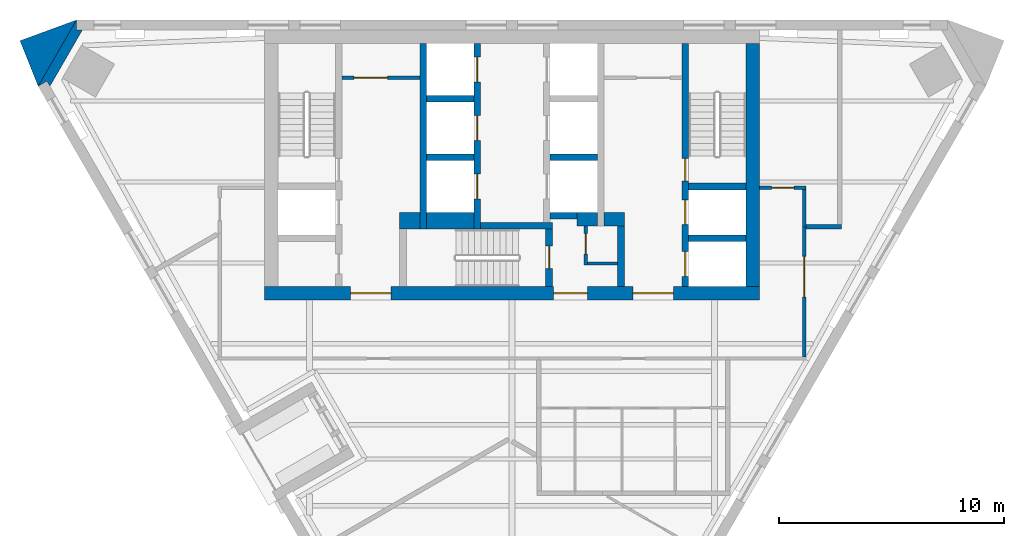
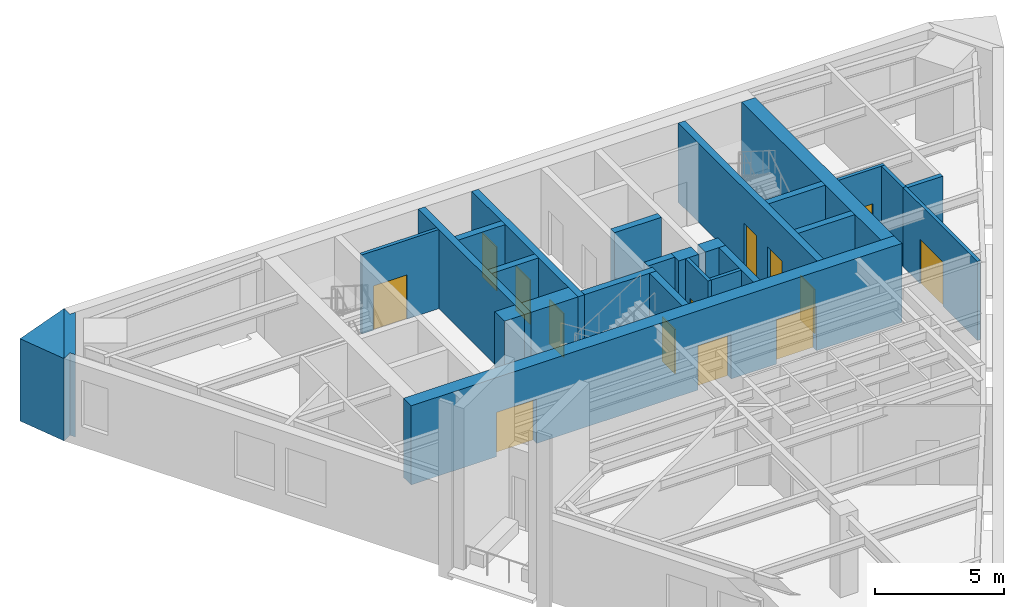
# One storey, part 4 of 6: 27 walls, 14 doors, 14 openings.
"""IFC4 building model written with IfcOpenShell, lengths in metres."""

from ifc_helpers import new_model, si_unit, direction, frame, frame_2d, origin, place, context, subcontext, project, spatial, polyline, rectangle, outline, extrude, material, layer, layer_set, type_object, element, fill, save


model = new_model("IFC4")

# Units and contexts
model_context = context("Model", 3, precision=1e-05, world=origin(), true_north=direction((0.0, 1.0)))
body_context = subcontext(model_context, "Body", "Model", "MODEL_VIEW")
ifc_project = project(units=[si_unit("LENGTHUNIT", "METRE"), si_unit("AREAUNIT", "SQUARE_METRE"), si_unit("VOLUMEUNIT", "CUBIC_METRE"), si_unit("PLANEANGLEUNIT", "RADIAN"), si_unit("MASSUNIT", "GRAM", prefix="KILO")], contexts=[model_context])

# Site, building, storey
site_placement = place(None, origin())
site = spatial("IfcSite", under=ifc_project, at=site_placement, CompositionType="ELEMENT")
building_placement = place(site_placement, origin())
building = spatial("IfcBuilding", under=site, at=building_placement, Name="Aloe Facet Convention Tower", CompositionType="ELEMENT")
storey_placement = place(building_placement, frame((0.0, 0.0, 199.699951171875)))
storey = spatial("IfcBuildingStorey", under=building, at=storey_placement, Name="L50", CompositionType="ELEMENT", Elevation=199.699951171875)

# Wall, opening, door
ifc_material_1 = material(Name="Concrete blockwork partition", Category="masonry")
ifc_layer_1 = layer(ifc_material_1, 0.14990234375)
ifc_layer_set_1 = layer_set([ifc_layer_1], Name="CR-W-PART150")
wall_type_1 = type_object("IfcWallType", Name="CR-W-PART150", PredefinedType="PARTITIONING", material=ifc_layer_set_1)
wall_1_placement = place(storey_placement, frame((72.449951171875, 132.425048828125, 0.0), z_axis=(0.0, 0.0, 1.0), x_axis=(1.0, 0.0, 0.0)))
wall_1 = element("IfcWall", 1, at=wall_1_placement, inside=storey, type_object=wall_type_1, Name="Core partition L50-007", PredefinedType="PARTITIONING", context=body_context, shape_type="SweptSolid", body=[
    extrude(rectangle(XDim=3.449951171875, YDim=0.14990234375, at=frame_2d((1.72509765625, 0.0))), origin(), (0.0, 0.0, 1.0), 3.75),
])
opening_1_placement = place(wall_1_placement, frame((0.52490234375, 0.0, 0.0)))
opening_1 = element("IfcOpeningElement", 2, at=opening_1_placement, cuts=wall_1, Name="Opening L50-CD14", PredefinedType="OPENING", context=body_context, shape_type="SweptSolid", body=[
    extrude(rectangle(XDim=1.5, YDim=2.10009765625, at=frame_2d((0.75, 1.050048828125))), frame((0.0, 0.0849609375, 0.0), z_axis=(0.0, -1.0, 0.0), x_axis=(1.0, 0.0, 0.0)), (0.0, 0.0, 1.0), 0.169921875),
])
ifc_material_2 = material(Name="Steel fire-resisting door set FD60", Category="steel")
door_type_1 = type_object("IfcDoorType", Name="CR-D-REFUGE-1500-FD60-DD", OperationType="DOUBLE_DOOR_DOUBLE_SWING", PredefinedType="DOOR", material=ifc_material_2)
door_1_placement = place(opening_1_placement, origin())
door_1 = element("IfcDoor", 3, at=door_1_placement, inside=storey, type_object=door_type_1, Name="Core door L50-CD14", OperationType="DOUBLE_DOOR_DOUBLE_SWING", OverallHeight=2.10009765625, OverallWidth=1.5, PredefinedType="DOOR", context=body_context, shape_type="SweptSolid", body=[
    extrude(rectangle(XDim=1.5, YDim=2.10009765625, at=frame_2d((0.75, 1.050048828125))), frame((0.0, 0.02490234375, 0.0), z_axis=(0.0, -1.0, 0.0), x_axis=(1.0, 0.0, 0.0)), (0.0, 0.0, 1.0), 0.050048828125),
])
fill(opening_1, door_1)

wall_2_placement = place(storey_placement, frame((83.27490234375, 125.85009765625, 0.0), z_axis=(0.0, 0.0, 1.0), x_axis=(0.0, -1.0, 0.0)))
wall_2 = element("IfcWall", 4, at=wall_2_placement, inside=storey, type_object=wall_type_1, Name="Core partition L50-022", PredefinedType="PARTITIONING", context=body_context, shape_type="SweptSolid", body=[
    extrude(rectangle(XDim=1.75, YDim=0.14990234375, at=frame_2d((0.875, 0.0))), origin(), (0.0, 0.0, 1.0), 3.75),
])
opening_2_placement = place(wall_2_placement, frame((0.35009765625, 0.0, 0.0)))
opening_2 = element("IfcOpeningElement", 5, at=opening_2_placement, cuts=wall_2, Name="Opening L50-CD12", PredefinedType="OPENING", context=body_context, shape_type="SweptSolid", body=[
    extrude(rectangle(XDim=0.89990234375, YDim=2.10009765625, at=frame_2d((0.449951171875, 1.050048828125))), frame((0.0, 0.0849609375, 0.0), z_axis=(0.0, -1.0, 0.0), x_axis=(1.0, 0.0, 0.0)), (0.0, 0.0, 1.0), 0.169921875),
])
ifc_material_3 = material(Name="Steel fire-resisting door set FD60", Category="steel")
door_type_2 = type_object("IfcDoorType", Name="CR-D-REFUGE-900-FD60-SRIGHT", OperationType="SINGLE_SWING_RIGHT", PredefinedType="DOOR", material=ifc_material_3)
door_2_placement = place(opening_2_placement, origin())
door_2 = element("IfcDoor", 6, at=door_2_placement, inside=storey, type_object=door_type_2, Name="Core door L50-CD12", OperationType="SINGLE_SWING_RIGHT", OverallHeight=2.10009765625, OverallWidth=0.89990234375, PredefinedType="DOOR", context=body_context, shape_type="SweptSolid", body=[
    extrude(rectangle(XDim=0.89990234375, YDim=2.10009765625, at=frame_2d((0.449951171875, 1.050048828125))), frame((0.0, 0.02490234375, 0.0), z_axis=(0.0, -1.0, 0.0), x_axis=(1.0, 0.0, 0.0)), (0.0, 0.0, 1.0), 0.050048828125),
])
fill(opening_2, door_2)

# Walls
wall_3_placement = place(storey_placement, frame((83.35009765625, 124.175048828125, 0.0), z_axis=(0.0, 0.0, 1.0), x_axis=(1.0, 0.0, 0.0)))
element("IfcWall", 7, at=wall_3_placement, inside=storey, type_object=wall_type_1, Name="Core partition L50-023", PredefinedType="PARTITIONING", context=body_context, shape_type="SweptSolid", body=[
    extrude(rectangle(XDim=1.349853515625, YDim=0.14990234375, at=frame_2d((0.6748046875, 0.0))), origin(), (0.0, 0.0, 1.0), 3.75),
])
ifc_material_4 = material(Name="Concrete C50/60", Category="concrete")
ifc_layer_2 = layer(ifc_material_4, 0.300048828125)
ifc_layer_set_2 = layer_set([ifc_layer_2], Name="CR-W-RC300-C5060")
wall_type_2 = type_object("IfcWallType", Name="CR-W-RC300-C5060", PredefinedType="SOLIDWALL", material=ifc_layer_set_2)
wall_4_placement = place(storey_placement, frame((76.050048828125, 133.949951171875, 0.0), z_axis=(0.0, 0.0, 1.0), x_axis=(0.0, -1.0, 0.0)))
element("IfcWall", 8, at=wall_4_placement, inside=storey, type_object=wall_type_2, Name="Core wall L50-010", PredefinedType="SOLIDWALL", context=body_context, shape_type="SweptSolid", body=[
    extrude(rectangle(XDim=8.25, YDim=0.300048828125, at=frame_2d((4.125, 0.0))), origin(), (0.0, 0.0, 1.0), 3.75),
])
for number, where, z_axis, x_axis, name in (
    (9, (76.199951171875, 131.5, 0.0), (0.0, 0.0, 1.0), (1.0, 0.0, 0.0), "Core wall L50-011"),
    (10, (76.199951171875, 128.89990234375, 0.0), (0.0, 0.0, 1.0), (1.0, 0.0, 0.0), "Core wall L50-012"),
):
    element("IfcWall", number, at=place(storey_placement, frame(where, z_axis=z_axis, x_axis=x_axis)), inside=storey, type_object=wall_type_2, Name=name, PredefinedType="SOLIDWALL", context=body_context, shape_type="SweptSolid", body=[
        extrude(rectangle(XDim=2.10009765625, YDim=0.300048828125, at=frame_2d((1.050048828125, 0.0))), origin(), (0.0, 0.0, 1.0), 3.75),
    ])

# Wall, openings, doors
wall_5_placement = place(storey_placement, frame((78.449951171875, 133.949951171875, 0.0), z_axis=(0.0, 0.0, 1.0), x_axis=(0.0, -1.0, 0.0)))
wall_5 = element("IfcWall", 11, at=wall_5_placement, inside=storey, type_object=wall_type_2, Name="Core wall L50-014", PredefinedType="SOLIDWALL", context=body_context, shape_type="SweptSolid", body=[
    extrude(rectangle(XDim=8.25, YDim=0.300048828125, at=frame_2d((4.125, 0.0))), origin(), (0.0, 0.0, 1.0), 3.75),
])
opening_3_placement = place(wall_5_placement, frame((0.60009765625, 0.0, 0.0)))
opening_3 = element("IfcOpeningElement", 12, at=opening_3_placement, cuts=wall_5, Name="Opening LD-B1-L50", PredefinedType="OPENING", context=body_context, shape_type="SweptSolid", body=[
    extrude(rectangle(XDim=1.10009765625, YDim=2.10009765625, at=frame_2d((0.550048828125, 1.050048828125))), frame((0.0, 0.16015625, 0.0), z_axis=(0.0, -1.0, 0.0), x_axis=(1.0, 0.0, 0.0)), (0.0, 0.0, 1.0), 0.320068359375),
])
opening_4_placement = place(wall_5_placement, frame((3.199951171875, 0.0, 0.0)))
opening_4 = element("IfcOpeningElement", 13, at=opening_4_placement, cuts=wall_5, Name="Opening LD-B2-L50", PredefinedType="OPENING", context=body_context, shape_type="SweptSolid", body=[
    extrude(rectangle(XDim=1.10009765625, YDim=2.10009765625, at=frame_2d((0.550048828125, 1.050048828125))), frame((0.0, 0.16015625, 0.0), z_axis=(0.0, -1.0, 0.0), x_axis=(1.0, 0.0, 0.0)), (0.0, 0.0, 1.0), 0.320068359375),
])
opening_5_placement = place(wall_5_placement, frame((5.800048828125, 0.0, 0.0)))
opening_5 = element("IfcOpeningElement", 14, at=opening_5_placement, cuts=wall_5, Name="Opening LD-B3-L50", PredefinedType="OPENING", context=body_context, shape_type="SweptSolid", body=[
    extrude(rectangle(XDim=1.10009765625, YDim=2.10009765625, at=frame_2d((0.550048828125, 1.050048828125))), frame((0.0, 0.16015625, 0.0), z_axis=(0.0, -1.0, 0.0), x_axis=(1.0, 0.0, 0.0)), (0.0, 0.0, 1.0), 0.320068359375),
])
ifc_material_5 = material(Name="Stainless steel sliding landing door", Category="steel")
door_type_3 = type_object("IfcDoorType", Name="CR-LD-1100-FD60-RIGHT", OperationType="SLIDING_TO_RIGHT", PredefinedType="DOOR", material=ifc_material_5)
door_3_placement = place(opening_3_placement, origin())
door_3 = element("IfcDoor", 15, at=door_3_placement, inside=storey, type_object=door_type_3, Name="Landing door B1 L50", OperationType="SLIDING_TO_RIGHT", OverallHeight=2.10009765625, OverallWidth=1.10009765625, PredefinedType="DOOR", context=body_context, shape_type="SweptSolid", body=[
    extrude(rectangle(XDim=1.10009765625, YDim=2.10009765625, at=frame_2d((0.550048828125, 1.050048828125))), frame((0.0, 0.02490234375, 0.0), z_axis=(0.0, -1.0, 0.0), x_axis=(1.0, 0.0, 0.0)), (0.0, 0.0, 1.0), 0.050048828125),
])
fill(opening_3, door_3)
door_4_placement = place(opening_4_placement, origin())
door_4 = element("IfcDoor", 16, at=door_4_placement, inside=storey, type_object=door_type_3, Name="Landing door B2 L50", OperationType="SLIDING_TO_RIGHT", OverallHeight=2.10009765625, OverallWidth=1.10009765625, PredefinedType="DOOR", context=body_context, shape_type="SweptSolid", body=[
    extrude(rectangle(XDim=1.10009765625, YDim=2.10009765625, at=frame_2d((0.550048828125, 1.050048828125))), frame((0.0, 0.02490234375, 0.0), z_axis=(0.0, -1.0, 0.0), x_axis=(1.0, 0.0, 0.0)), (0.0, 0.0, 1.0), 0.050048828125),
])
fill(opening_4, door_4)
door_5_placement = place(opening_5_placement, origin())
door_5 = element("IfcDoor", 17, at=door_5_placement, inside=storey, type_object=door_type_3, Name="Landing door B3 L50", OperationType="SLIDING_TO_RIGHT", OverallHeight=2.10009765625, OverallWidth=1.10009765625, PredefinedType="DOOR", context=body_context, shape_type="SweptSolid", body=[
    extrude(rectangle(XDim=1.10009765625, YDim=2.10009765625, at=frame_2d((0.550048828125, 1.050048828125))), frame((0.0, 0.02490234375, 0.0), z_axis=(0.0, -1.0, 0.0), x_axis=(1.0, 0.0, 0.0)), (0.0, 0.0, 1.0), 0.050048828125),
])
fill(opening_5, door_5)

# Wall
wall_6_placement = place(storey_placement, frame((78.60009765625, 125.85009765625, 0.0), z_axis=(0.0, 0.0, 1.0), x_axis=(1.0, 0.0, 0.0)))
element("IfcWall", 18, at=wall_6_placement, inside=storey, type_object=wall_type_2, Name="Core wall L50-015", PredefinedType="SOLIDWALL", context=body_context, shape_type="SweptSolid", body=[
    extrude(rectangle(XDim=3.199951171875, YDim=0.300048828125, at=frame_2d((1.60009765625, 0.0))), origin(), (0.0, 0.0, 1.0), 3.75),
])

# Wall, opening, door
wall_7_placement = place(storey_placement, frame((81.64990234375, 125.699951171875, 0.0), z_axis=(0.0, 0.0, 1.0), x_axis=(0.0, -1.0, 0.0)))
wall_7 = element("IfcWall", 19, at=wall_7_placement, inside=storey, type_object=wall_type_2, Name="Core wall L50-017", PredefinedType="SOLIDWALL", context=body_context, shape_type="SweptSolid", body=[
    extrude(rectangle(XDim=2.550048828125, YDim=0.300048828125, at=frame_2d((1.27490234375, 0.0))), origin(), (0.0, 0.0, 1.0), 3.75),
])
opening_6_placement = place(wall_7_placement, frame((0.75, 0.0, 0.0)))
opening_6 = element("IfcOpeningElement", 20, at=opening_6_placement, cuts=wall_7, Name="Opening L50-CD18", PredefinedType="OPENING", context=body_context, shape_type="SweptSolid", body=[
    extrude(rectangle(XDim=1.0, YDim=2.10009765625, at=frame_2d((0.5, 1.050048828125))), frame((0.0, 0.16015625, 0.0), z_axis=(0.0, -1.0, 0.0), x_axis=(1.0, 0.0, 0.0)), (0.0, 0.0, 1.0), 0.320068359375),
])
ifc_material_6 = material(Name="Steel fire-resisting door set FD120", Category="steel")
door_type_4 = type_object("IfcDoorType", Name="CR-D-STAIR-1000-FD120-SLEFT", OperationType="SINGLE_SWING_LEFT", PredefinedType="DOOR", material=ifc_material_6)
door_6_placement = place(opening_6_placement, origin())
door_6 = element("IfcDoor", 21, at=door_6_placement, inside=storey, type_object=door_type_4, Name="Core door L50-CD18", OperationType="SINGLE_SWING_LEFT", OverallHeight=2.10009765625, OverallWidth=1.0, PredefinedType="DOOR", context=body_context, shape_type="SweptSolid", body=[
    extrude(rectangle(XDim=1.0, YDim=2.10009765625, at=frame_2d((0.5, 1.050048828125))), frame((0.0, 0.02490234375, 0.0), z_axis=(0.0, -1.0, 0.0), x_axis=(1.0, 0.0, 0.0)), (0.0, 0.0, 1.0), 0.050048828125),
])
fill(opening_6, door_6)

# Walls
wall_8_placement = place(storey_placement, frame((81.699951171875, 128.89990234375, 0.0), z_axis=(0.0, 0.0, 1.0), x_axis=(1.0, 0.0, 0.0)))
element("IfcWall", 22, at=wall_8_placement, inside=storey, type_object=wall_type_2, Name="Core wall L50-019", PredefinedType="SOLIDWALL", context=body_context, shape_type="SweptSolid", body=[
    extrude(rectangle(XDim=2.10009765625, YDim=0.300048828125, at=frame_2d((1.050048828125, 0.0))), origin(), (0.0, 0.0, 1.0), 3.75),
])
wall_9_placement = place(storey_placement, frame((81.699951171875, 126.300048828125, 0.0), z_axis=(0.0, 0.0, 1.0), x_axis=(1.0, 0.0, 0.0)))
element("IfcWall", 23, at=wall_9_placement, inside=storey, type_object=wall_type_2, Name="Core wall L50-020", PredefinedType="SOLIDWALL", context=body_context, shape_type="SweptSolid", body=[
    extrude(rectangle(XDim=1.199951171875, YDim=0.300048828125, at=frame_2d((0.60009765625, 0.0))), origin(), (0.0, 0.0, 1.0), 3.75),
])
wall_10_placement = place(storey_placement, frame((84.85009765625, 125.85009765625, 0.0), z_axis=(0.0, 0.0, 1.0), x_axis=(0.0, -1.0, 0.0)))
element("IfcWall", 24, at=wall_10_placement, inside=storey, type_object=wall_type_2, Name="Core wall L50-027", PredefinedType="SOLIDWALL", context=body_context, shape_type="SweptSolid", body=[
    extrude(rectangle(XDim=2.7001953125, YDim=0.300048828125, at=frame_2d((1.35009765625, 0.0))), origin(), (0.0, 0.0, 1.0), 3.75),
])

# Wall, openings, doors
wall_11_placement = place(storey_placement, frame((87.699951171875, 133.949951171875, 0.0), z_axis=(0.0, 0.0, 1.0), x_axis=(0.0, -1.0, 0.0)))
wall_11 = element("IfcWall", 25, at=wall_11_placement, inside=storey, type_object=wall_type_2, Name="Core wall L50-028", PredefinedType="SOLIDWALL", context=body_context, shape_type="SweptSolid", body=[
    extrude(rectangle(XDim=10.800048828125, YDim=0.300048828125, at=frame_2d((5.39990234375, 0.0))), origin(), (0.0, 0.0, 1.0), 3.75),
])
opening_7_placement = place(wall_11_placement, frame((6.949951171875, 0.0, 0.0)))
opening_7 = element("IfcOpeningElement", 26, at=opening_7_placement, cuts=wall_11, Name="Opening LD-FF2-L50", PredefinedType="OPENING", context=body_context, shape_type="SweptSolid", body=[
    extrude(rectangle(XDim=1.10009765625, YDim=2.10009765625, at=frame_2d((0.550048828125, 1.050048828125))), frame((0.0, 0.16015625, 0.0), z_axis=(0.0, -1.0, 0.0), x_axis=(1.0, 0.0, 0.0)), (0.0, 0.0, 1.0), 0.320068359375),
])
opening_8_placement = place(wall_11_placement, frame((5.10009765625, 0.0, 0.0)))
opening_8 = element("IfcOpeningElement", 27, at=opening_8_placement, cuts=wall_11, Name="Opening L50-CD17", PredefinedType="OPENING", context=body_context, shape_type="SweptSolid", body=[
    extrude(rectangle(XDim=1.0, YDim=2.10009765625, at=frame_2d((0.5, 1.050048828125))), frame((0.0, 0.16015625, 0.0), z_axis=(0.0, -1.0, 0.0), x_axis=(1.0, 0.0, 0.0)), (0.0, 0.0, 1.0), 0.320068359375),
])
opening_9_placement = place(wall_11_placement, frame((9.25, 0.0, 0.0)))
opening_9 = element("IfcOpeningElement", 28, at=opening_9_placement, cuts=wall_11, Name="Opening LD-SV1-L50", PredefinedType="OPENING", context=body_context, shape_type="SweptSolid", body=[
    extrude(rectangle(XDim=1.10009765625, YDim=2.10009765625, at=frame_2d((0.550048828125, 1.050048828125))), frame((0.0, 0.16015625, 0.0), z_axis=(0.0, -1.0, 0.0), x_axis=(1.0, 0.0, 0.0)), (0.0, 0.0, 1.0), 0.320068359375),
])
door_7_placement = place(opening_8_placement, origin())
door_7 = element("IfcDoor", 29, at=door_7_placement, inside=storey, type_object=door_type_4, Name="Core door L50-CD17", OperationType="SINGLE_SWING_LEFT", OverallHeight=2.10009765625, OverallWidth=1.0, PredefinedType="DOOR", context=body_context, shape_type="SweptSolid", body=[
    extrude(rectangle(XDim=1.0, YDim=2.10009765625, at=frame_2d((0.5, 1.050048828125))), frame((0.0, 0.02490234375, 0.0), z_axis=(0.0, -1.0, 0.0), x_axis=(1.0, 0.0, 0.0)), (0.0, 0.0, 1.0), 0.050048828125),
])
fill(opening_8, door_7)
ifc_material_7 = material(Name="Stainless steel sliding landing door", Category="steel")
door_type_5 = type_object("IfcDoorType", Name="CR-LD-1100-FD120-_LEFT", OperationType="SLIDING_TO_LEFT", PredefinedType="DOOR", material=ifc_material_7)
door_8_placement = place(opening_7_placement, origin())
door_8 = element("IfcDoor", 30, at=door_8_placement, inside=storey, type_object=door_type_5, Name="Landing door FF2 L50", OperationType="SLIDING_TO_LEFT", OverallHeight=2.10009765625, OverallWidth=1.10009765625, PredefinedType="DOOR", context=body_context, shape_type="SweptSolid", body=[
    extrude(rectangle(XDim=1.10009765625, YDim=2.10009765625, at=frame_2d((0.550048828125, 1.050048828125))), frame((0.0, 0.02490234375, 0.0), z_axis=(0.0, -1.0, 0.0), x_axis=(1.0, 0.0, 0.0)), (0.0, 0.0, 1.0), 0.050048828125),
])
fill(opening_7, door_8)
door_9_placement = place(opening_9_placement, origin())
door_9 = element("IfcDoor", 31, at=door_9_placement, inside=storey, type_object=door_type_5, Name="Landing door SV1 L50", OperationType="SLIDING_TO_LEFT", OverallHeight=2.10009765625, OverallWidth=1.10009765625, PredefinedType="DOOR", context=body_context, shape_type="SweptSolid", body=[
    extrude(rectangle(XDim=1.10009765625, YDim=2.10009765625, at=frame_2d((0.550048828125, 1.050048828125))), frame((0.0, 0.02490234375, 0.0), z_axis=(0.0, -1.0, 0.0), x_axis=(1.0, 0.0, 0.0)), (0.0, 0.0, 1.0), 0.050048828125),
])
fill(opening_9, door_9)

# Walls
for number, where, z_axis, x_axis, name in (
    (32, (87.85009765625, 127.60009765625, 0.0), (0.0, 0.0, 1.0), (1.0, 0.0, 0.0), "Core wall L50-029"),
    (33, (87.85009765625, 125.300048828125, 0.0), (0.0, 0.0, 1.0), (1.0, 0.0, 0.0), "Core wall L50-030"),
):
    element("IfcWall", number, at=place(storey_placement, frame(where, z_axis=z_axis, x_axis=x_axis)), inside=storey, type_object=wall_type_2, Name=name, PredefinedType="SOLIDWALL", context=body_context, shape_type="SweptSolid", body=[
        extrude(rectangle(XDim=2.5498046875, YDim=0.300048828125, at=frame_2d((1.27490234375, 0.0))), origin(), (0.0, 0.0, 1.0), 3.75),
    ])

# Wall, openings, doors
ifc_material_8 = material(Name="Concrete C50/60", Category="concrete")
ifc_layer_3 = layer(ifc_material_8, 0.60009765625)
ifc_layer_set_3 = layer_set([ifc_layer_3], Name="CR-W-RC600-C5060")
wall_type_3 = type_object("IfcWallType", Name="CR-W-RC600-C5060", PredefinedType="SOLIDWALL", material=ifc_layer_set_3)
wall_12_placement = place(storey_placement, frame((69.0, 122.85009765625, 0.0), z_axis=(0.0, 0.0, 1.0), x_axis=(1.0, 0.0, 0.0)))
wall_12 = element("IfcWall", 34, at=wall_12_placement, inside=storey, type_object=wall_type_3, Name="Core wall L50-003", PredefinedType="SOLIDWALL", context=body_context, shape_type="SweptSolid", body=[
    extrude(rectangle(XDim=22.0, YDim=0.60009765625, at=frame_2d((11.0, 0.0))), origin(), (0.0, 0.0, 1.0), 3.75),
])
opening_10_placement = place(wall_12_placement, frame((16.375, 0.0, 0.0)))
opening_10 = element("IfcOpeningElement", 35, at=opening_10_placement, cuts=wall_12, Name="Opening L50-CD09", PredefinedType="OPENING", context=body_context, shape_type="SweptSolid", body=[
    extrude(rectangle(XDim=1.800048828125, YDim=2.10009765625, at=frame_2d((0.89990234375, 1.050048828125))), frame((0.0, 0.31005859375, 0.0), z_axis=(0.0, -1.0, 0.0), x_axis=(1.0, 0.0, 0.0)), (0.0, 0.0, 1.0), 0.6201171875),
])
opening_11_placement = place(wall_12_placement, frame((3.824951171875, 0.0, 0.0)))
opening_11 = element("IfcOpeningElement", 36, at=opening_11_placement, cuts=wall_12, Name="Opening L50-CD10", PredefinedType="OPENING", context=body_context, shape_type="SweptSolid", body=[
    extrude(rectangle(XDim=1.800048828125, YDim=2.10009765625, at=frame_2d((0.89990234375, 1.050048828125))), frame((0.0, 0.31005859375, 0.0), z_axis=(0.0, -1.0, 0.0), x_axis=(1.0, 0.0, 0.0)), (0.0, 0.0, 1.0), 0.6201171875),
])
opening_12_placement = place(wall_12_placement, frame((12.85009765625, 0.0, 0.0)))
opening_12 = element("IfcOpeningElement", 37, at=opening_12_placement, cuts=wall_12, Name="Opening L50-CD11", PredefinedType="OPENING", context=body_context, shape_type="SweptSolid", body=[
    extrude(rectangle(XDim=1.5, YDim=2.10009765625, at=frame_2d((0.75, 1.050048828125))), frame((0.0, 0.31005859375, 0.0), z_axis=(0.0, -1.0, 0.0), x_axis=(1.0, 0.0, 0.0)), (0.0, 0.0, 1.0), 0.6201171875),
])
ifc_material_9 = material(Name="Steel fire-resisting door set FD60", Category="steel")
door_type_6 = type_object("IfcDoorType", Name="CR-D-EXIT-1500-FD60-DD", OperationType="DOUBLE_DOOR_DOUBLE_SWING", PredefinedType="DOOR", material=ifc_material_9)
door_10_placement = place(opening_12_placement, origin())
door_10 = element("IfcDoor", 38, at=door_10_placement, inside=storey, type_object=door_type_6, Name="Core door L50-CD11", OperationType="DOUBLE_DOOR_DOUBLE_SWING", OverallHeight=2.10009765625, OverallWidth=1.5, PredefinedType="DOOR", context=body_context, shape_type="SweptSolid", body=[
    extrude(rectangle(XDim=1.5, YDim=2.10009765625, at=frame_2d((0.75, 1.050048828125))), frame((0.0, 0.02490234375, 0.0), z_axis=(0.0, -1.0, 0.0), x_axis=(1.0, 0.0, 0.0)), (0.0, 0.0, 1.0), 0.050048828125),
])
fill(opening_12, door_10)
ifc_material_10 = material(Name="Steel fire-resisting door set FD120", Category="steel")
door_type_7 = type_object("IfcDoorType", Name="CR-D-EXIT-1800-FD120-DD", OperationType="DOUBLE_DOOR_DOUBLE_SWING", PredefinedType="DOOR", material=ifc_material_10)
door_11_placement = place(opening_10_placement, origin())
door_11 = element("IfcDoor", 39, at=door_11_placement, inside=storey, type_object=door_type_7, Name="Core door L50-CD09", OperationType="DOUBLE_DOOR_DOUBLE_SWING", OverallHeight=2.10009765625, OverallWidth=1.800048828125, PredefinedType="DOOR", context=body_context, shape_type="SweptSolid", body=[
    extrude(rectangle(XDim=1.800048828125, YDim=2.10009765625, at=frame_2d((0.89990234375, 1.050048828125))), frame((0.0, 0.02490234375, 0.0), z_axis=(0.0, -1.0, 0.0), x_axis=(1.0, 0.0, 0.0)), (0.0, 0.0, 1.0), 0.050048828125),
])
fill(opening_10, door_11)
door_12_placement = place(opening_11_placement, origin())
door_12 = element("IfcDoor", 40, at=door_12_placement, inside=storey, type_object=door_type_7, Name="Core door L50-CD10", OperationType="DOUBLE_DOOR_DOUBLE_SWING", OverallHeight=2.10009765625, OverallWidth=1.800048828125, PredefinedType="DOOR", context=body_context, shape_type="SweptSolid", body=[
    extrude(rectangle(XDim=1.800048828125, YDim=2.10009765625, at=frame_2d((0.89990234375, 1.050048828125))), frame((0.0, 0.02490234375, 0.0), z_axis=(0.0, -1.0, 0.0), x_axis=(1.0, 0.0, 0.0)), (0.0, 0.0, 1.0), 0.050048828125),
])
fill(opening_11, door_12)

# Walls
wall_13_placement = place(storey_placement, frame((82.89990234375, 126.14990234375, 0.0), z_axis=(0.0, 0.0, 1.0), x_axis=(1.0, 0.0, 0.0)))
element("IfcWall", 41, at=wall_13_placement, inside=storey, type_object=wall_type_3, Name="Core wall L50-021", PredefinedType="SOLIDWALL", context=body_context, shape_type="SweptSolid", body=[
    extrude(rectangle(XDim=0.900146484375, YDim=0.60009765625, at=frame_2d((0.4501953125, 0.0))), origin(), (0.0, 0.0, 1.0), 3.75),
])
wall_14_placement = place(storey_placement, frame((84.10009765625, 126.14990234375, 0.0), z_axis=(0.0, 0.0, 1.0), x_axis=(1.0, 0.0, 0.0)))
element("IfcWall", 42, at=wall_14_placement, inside=storey, type_object=wall_type_3, Name="Core wall L50-026", PredefinedType="SOLIDWALL", context=body_context, shape_type="SweptSolid", body=[
    extrude(rectangle(XDim=0.89990234375, YDim=0.60009765625, at=frame_2d((0.449951171875, 0.0))), origin(), (0.0, 0.0, 1.0), 3.75),
])
wall_15_placement = place(storey_placement, frame((90.699951171875, 133.949951171875, 0.0), z_axis=(0.0, 0.0, 1.0), x_axis=(0.0, -1.0, 0.0)))
element("IfcWall", 43, at=wall_15_placement, inside=storey, type_object=wall_type_3, Name="Core wall L50-031", PredefinedType="SOLIDWALL", context=body_context, shape_type="SweptSolid", body=[
    extrude(rectangle(XDim=10.800048828125, YDim=0.60009765625, at=frame_2d((5.39990234375, 0.0))), origin(), (0.0, 0.0, 1.0), 3.75),
])
ifc_material_11 = material(Name="Concrete C50/60", Category="concrete")
ifc_layer_4 = layer(ifc_material_11, 0.75)
ifc_layer_set_4 = layer_set([ifc_layer_4], Name="CR-W-RC750-C5060")
wall_type_4 = type_object("IfcWallType", Name="CR-W-RC750-C5060", PredefinedType="SOLIDWALL", material=ifc_layer_set_4)
wall_16_placement = place(storey_placement, frame((75.0, 126.074951171875, 0.0), z_axis=(0.0, 0.0, 1.0), x_axis=(1.0, 0.0, 0.0)))
element("IfcWall", 44, at=wall_16_placement, inside=storey, type_object=wall_type_4, Name="Core wall L50-008", PredefinedType="SOLIDWALL", context=body_context, shape_type="SweptSolid", body=[
    extrude(rectangle(XDim=0.89990234375, YDim=0.75, at=frame_2d((0.449951171875, 0.0))), origin(), (0.0, 0.0, 1.0), 3.75),
])
wall_17_placement = place(storey_placement, frame((76.199951171875, 126.074951171875, 0.0), z_axis=(0.0, 0.0, 1.0), x_axis=(1.0, 0.0, 0.0)))
element("IfcWall", 45, at=wall_17_placement, inside=storey, type_object=wall_type_4, Name="Core wall L50-013", PredefinedType="SOLIDWALL", context=body_context, shape_type="SweptSolid", body=[
    extrude(rectangle(XDim=2.10009765625, YDim=0.75, at=frame_2d((1.050048828125, 0.0))), origin(), (0.0, 0.0, 1.0), 3.75),
])
ifc_material_12 = material(Name="Precast concrete C40/50", Category="concrete")
ifc_layer_5 = layer(ifc_material_12, 0.449951171875)
ifc_layer_set_5 = layer_set([ifc_layer_5], Name="EV-WALL-PIER")
wall_type_5 = type_object("IfcWallType", Name="EV-WALL-PIER", PredefinedType="SOLIDWALL", material=ifc_layer_set_5)
wall_18_placement = place(storey_placement, frame((0.0, 0.0, -0.14990234375)))
element("IfcWall", 46, at=wall_18_placement, inside=storey, type_object=wall_type_5, Name="EP-L50-A", PredefinedType="SOLIDWALL", context=body_context, shape_type="SweptSolid", body=[
    extrude(outline(polyline([(60.635498046875, 135.0), (60.635498046875, 134.550048828125), (60.895263671875, 134.550048828125), (59.455078125, 132.055419921875), (59.3251953125, 132.280517578125), (58.935302734375, 132.055419921875), (60.635498046875, 135.0)])), origin(), (0.0, 0.0, 1.0), 3.89990234375),
])
ifc_material_13 = material(Name="Precast concrete C40/50", Category="concrete")
ifc_layer_6 = layer(ifc_material_13, 3.947998046875)
ifc_layer_set_6 = layer_set([ifc_layer_6], Name="EV-WALL-SPINE")
wall_type_6 = type_object("IfcWallType", Name="EV-WALL-SPINE", PredefinedType="SOLIDWALL", material=ifc_layer_set_6)
wall_19_placement = place(storey_placement, frame((0.0, 0.0, -0.14990234375)))
element("IfcWall", 47, at=wall_19_placement, inside=storey, type_object=wall_type_6, Name="SP-NW-L50", PredefinedType="SOLIDWALL", context=body_context, shape_type="SweptSolid", body=[
    extrude(outline(polyline([(60.635498046875, 135.0), (58.1259765625, 134.0791015625), (58.935302734375, 132.055419921875), (60.635498046875, 135.0)])), origin(), (0.0, 0.0, 1.0), 3.89990234375),
])

# Wall, opening, door
ifc_material_14 = material(Name="Gypsum board partition on steel studs", Category="steel")
ifc_layer_7 = layer(ifc_material_14, 0.14990234375)
ifc_layer_set_7 = layer_set([ifc_layer_7], Name="IN-W-CORR")
wall_type_7 = type_object("IfcWallType", Name="IN-W-CORR", PredefinedType="PARTITIONING", material=ifc_layer_set_7)
wall_20_placement = place(storey_placement, frame((93.0, 120.02490234375, 0.0), z_axis=(0.0, 0.0, 1.0), x_axis=(0.0, 1.0, 0.0)))
wall_20 = element("IfcWall", 48, at=wall_20_placement, inside=storey, type_object=wall_type_7, Name="Partition L50-W024", PredefinedType="PARTITIONING", context=body_context, shape_type="SweptSolid", body=[
    extrude(rectangle(XDim=5.775146484375, YDim=0.14990234375, at=frame_2d((2.8876953125, 0.0))), origin(), (0.0, 0.0, 1.0), 3.75),
])
opening_13_placement = place(wall_20_placement, frame((2.66259765625, 0.0, 0.0)))
opening_13 = element("IfcOpeningElement", 49, at=opening_13_placement, cuts=wall_20, Name="Opening L50-009", PredefinedType="OPENING", context=body_context, shape_type="SweptSolid", body=[
    extrude(rectangle(XDim=1.800048828125, YDim=2.10009765625, at=frame_2d((0.89990234375, 1.050048828125))), frame((0.0, 0.0849609375, 0.0), z_axis=(0.0, -1.0, 0.0), x_axis=(1.0, 0.0, 0.0)), (0.0, 0.0, 1.0), 0.169921875),
])
ifc_material_15 = material(Name="Glazed timber door pair FD30S", Category="wood")
door_type_8 = type_object("IfcDoorType", Name="IN-OFF-D-SUITE", OperationType="DOUBLE_DOOR_SINGLE_SWING", PredefinedType="DOOR", material=ifc_material_15)
door_13_placement = place(opening_13_placement, origin())
door_13 = element("IfcDoor", 50, at=door_13_placement, inside=storey, type_object=door_type_8, Name="Door L50-009", OperationType="SINGLE_SWING_LEFT", OverallHeight=2.10009765625, OverallWidth=1.800048828125, PredefinedType="DOOR", context=body_context, shape_type="SweptSolid", body=[
    extrude(rectangle(XDim=1.800048828125, YDim=2.10009765625, at=frame_2d((0.89990234375, 1.050048828125))), frame((0.0, 0.02490234375, 0.0), z_axis=(0.0, -1.0, 0.0), x_axis=(1.0, 0.0, 0.0)), (0.0, 0.0, 1.0), 0.050048828125),
])
fill(opening_13, door_13)

wall_21_placement = place(storey_placement, frame((91.0, 127.550048828125, 0.0), z_axis=(0.0, 0.0, 1.0), x_axis=(1.0, 0.0, 0.0)))
wall_21 = element("IfcWall", 51, at=wall_21_placement, inside=storey, type_object=wall_type_7, Name="Partition L50-W031", PredefinedType="PARTITIONING", context=body_context, shape_type="SweptSolid", body=[
    extrude(rectangle(XDim=2.074951171875, YDim=0.14990234375, at=frame_2d((1.03759765625, 0.0))), origin(), (0.0, 0.0, 1.0), 3.75),
])
opening_14_placement = place(wall_21_placement, frame((0.53759765625, 0.0, 0.0)))
opening_14 = element("IfcOpeningElement", 52, at=opening_14_placement, cuts=wall_21, Name="Opening L50-006", PredefinedType="OPENING", context=body_context, shape_type="SweptSolid", body=[
    extrude(rectangle(XDim=1.0, YDim=2.10009765625, at=frame_2d((0.5, 1.050048828125))), frame((0.0, 0.0849609375, 0.0), z_axis=(0.0, -1.0, 0.0), x_axis=(1.0, 0.0, 0.0)), (0.0, 0.0, 1.0), 0.169921875),
])
ifc_material_16 = material(Name="Timber door FD30S with vision panel", Category="wood")
door_type_9 = type_object("IfcDoorType", Name="IN-OFF-D-ENTRY", OperationType="SINGLE_SWING_LEFT", PredefinedType="DOOR", material=ifc_material_16)
door_14_placement = place(opening_14_placement, origin())
door_14 = element("IfcDoor", 53, at=door_14_placement, inside=storey, type_object=door_type_9, Name="Door L50-006", OperationType="SINGLE_SWING_LEFT", OverallHeight=2.10009765625, OverallWidth=1.0, PredefinedType="DOOR", context=body_context, shape_type="SweptSolid", body=[
    extrude(rectangle(XDim=1.0, YDim=2.10009765625, at=frame_2d((0.5, 1.050048828125))), frame((0.0, 0.02490234375, 0.0), z_axis=(0.0, -1.0, 0.0), x_axis=(1.0, 0.0, 0.0)), (0.0, 0.0, 1.0), 0.050048828125),
])
fill(opening_14, door_14)

# Walls
wall_22_placement = place(storey_placement, frame((93.0, 125.800048828125, 0.0), z_axis=(0.0, 0.0, 1.0), x_axis=(0.0, 1.0, 0.0)))
element("IfcWall", 54, at=wall_22_placement, inside=storey, type_object=wall_type_7, Name="Partition L50-W032", PredefinedType="PARTITIONING", context=body_context, shape_type="SweptSolid", body=[
    extrude(rectangle(XDim=1.675048828125, YDim=0.14990234375, at=frame_2d((0.83740234375, 0.0))), origin(), (0.0, 0.0, 1.0), 3.75),
])
ifc_material_17 = material(Name="Gypsum board partition on steel studs", Category="steel")
ifc_layer_8 = layer(ifc_material_17, 0.199951171875)
ifc_layer_set_8 = layer_set([ifc_layer_8], Name="IN-W-PARTY")
wall_type_8 = type_object("IfcWallType", Name="IN-W-PARTY", PredefinedType="PARTITIONING", material=ifc_layer_set_8)
wall_23_placement = place(storey_placement, frame((93.074951171875, 125.800048828125, 0.0), z_axis=(0.0, 0.0, 1.0), x_axis=(1.0, 0.0, 0.0)))
element("IfcWall", 55, at=wall_23_placement, inside=storey, type_object=wall_type_8, Name="Partition L50-W028", PredefinedType="PARTITIONING", context=body_context, shape_type="SweptSolid", body=[
    extrude(rectangle(XDim=1.58544921875, YDim=0.199951171875, at=frame_2d((0.792724609375, 0.0))), origin(), (0.0, 0.0, 1.0), 3.75),
])

save(model, "model.ifc")
